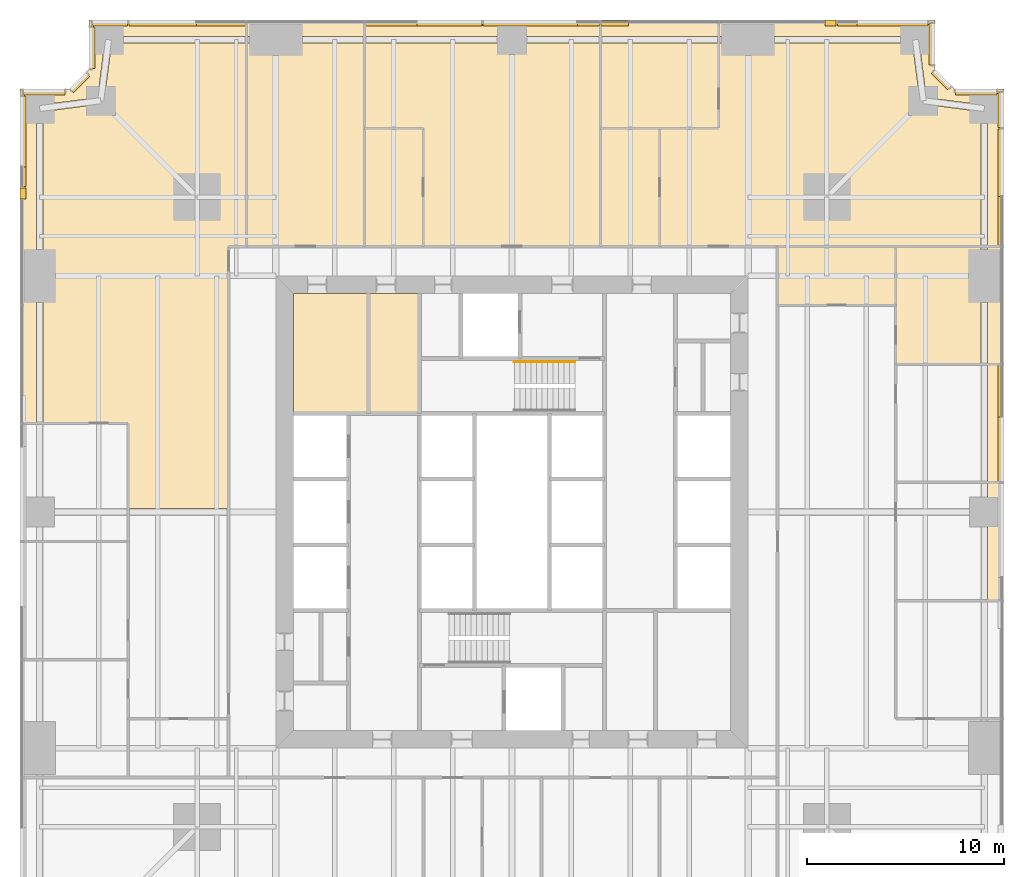
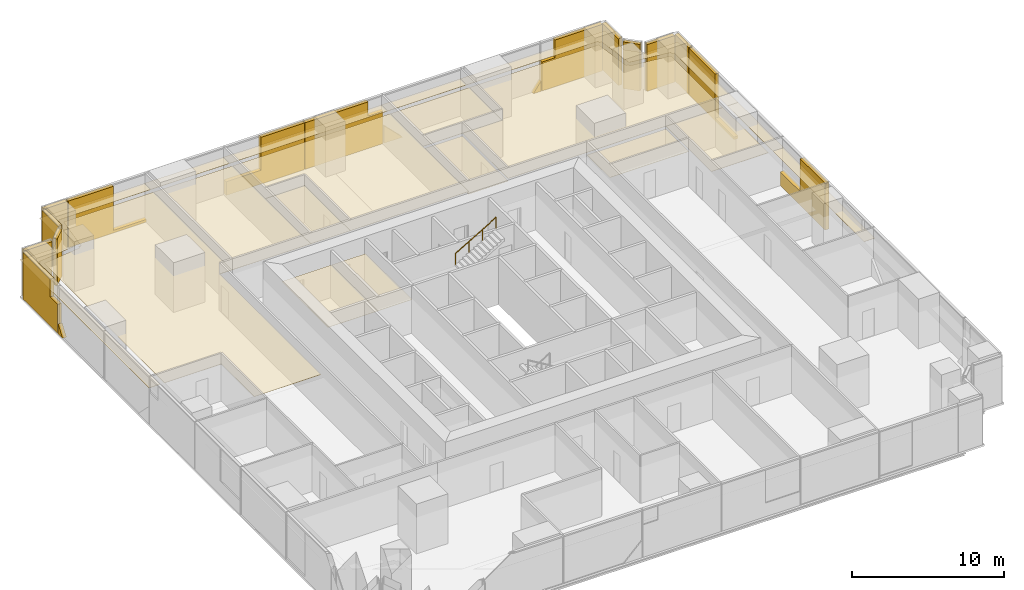
# One storey, part 13 of 13: 37 coverings, 1 railing.
"""IFC4 building model written with IfcOpenShell, lengths in metres."""

from ifc_helpers import new_model, si_unit, direction, frame, origin, origin_2d, place, context, subcontext, project, spatial, polyline, circle, outline, extrude, material, layer, layer_set, type_object, element, save


model = new_model("IFC4")

# Units and contexts
model_context = context("Model", 3, precision=1e-05, world=origin(), true_north=direction((0.0, 1.0)))
body_context = subcontext(model_context, "Body", "Model", "MODEL_VIEW")
ifc_project = project(units=[si_unit("LENGTHUNIT", "METRE"), si_unit("AREAUNIT", "SQUARE_METRE"), si_unit("VOLUMEUNIT", "CUBIC_METRE"), si_unit("PLANEANGLEUNIT", "RADIAN"), si_unit("MASSUNIT", "GRAM", prefix="KILO")], contexts=[model_context])

# Site, building, storey
site_placement = place(None, origin())
site = spatial("IfcSite", under=ifc_project, at=site_placement, CompositionType="ELEMENT")
building_placement = place(site_placement, origin())
building = spatial("IfcBuilding", under=site, at=building_placement, Name="Fenwick Lantern Interchange", CompositionType="ELEMENT")
storey_placement = place(building_placement, frame((0.0, 0.0, 39.0)))
storey = spatial("IfcBuildingStorey", under=building, at=storey_placement, Name="L08", CompositionType="ELEMENT", Elevation=39.0)

# Coverings
ifc_material_1 = material(Name="Mineral fibre acoustic tile on suspended grid")
ifc_layer_1 = layer(ifc_material_1, 0.02001953125)
ifc_layer_set_1 = layer_set([ifc_layer_1], Name="ACOUSTIC TILE CEILING 20")
covering_type_1 = type_object("IfcCoveringType", Name="ACOUSTIC TILE CEILING 20", PredefinedType="CEILING", material=ifc_layer_set_1)
covering_1_placement = place(storey_placement, frame((0.0, 0.0, 2.89990234375)))
element("IfcCovering", 1, at=covering_1_placement, inside=storey, type_object=covering_type_1, Name="Office ceiling", PredefinedType="CEILING", context=body_context, shape_type="SweptSolid", body=[
    extrude(outline(polyline([(50.0, 26.5), (49.17236328125, 26.5), (49.17236328125, 25.0), (49.17236328125, 20.5), (50.0, 20.5), (50.0, 26.5)])), origin(), (0.0, 0.0, 1.0), 0.02001953125),
])
covering_2_placement = place(storey_placement, frame((0.0, 0.0, 2.89990234375)))
element("IfcCovering", 2, at=covering_2_placement, inside=storey, type_object=covering_type_1, Name="Office ceiling", PredefinedType="CEILING", context=body_context, shape_type="SweptSolid", body=[
    extrude(outline(polyline([(50.0, 32.5), (49.17236328125, 32.5), (49.17236328125, 26.5), (50.0, 26.5), (50.0, 32.5)])), origin(), (0.0, 0.0, 1.0), 0.02001953125),
])
covering_3_placement = place(storey_placement, frame((0.0, 0.0, 2.89990234375)))
element("IfcCovering", 3, at=covering_3_placement, inside=storey, type_object=covering_type_1, Name="Office ceiling", PredefinedType="CEILING", context=body_context, shape_type="SweptSolid", body=[
    extrude(outline(polyline([(44.5, 32.5), (48.82763671875, 32.5), (48.82763671875, 37.0), (48.82763671875, 38.5), (44.5, 38.5), (44.5, 32.5)])), origin(), (0.0, 0.0, 1.0), 0.02001953125),
])
covering_4_placement = place(storey_placement, frame((0.0, 0.0, 2.89990234375)))
element("IfcCovering", 4, at=covering_4_placement, inside=storey, type_object=covering_type_1, Name="Office ceiling", PredefinedType="CEILING", context=body_context, shape_type="SweptSolid", body=[
    extrude(outline(polyline([(50.0, 38.5), (49.17236328125, 38.5), (49.17236328125, 37.0), (49.17236328125, 32.5), (50.0, 32.5), (50.0, 38.5)])), origin(), (0.0, 0.0, 1.0), 0.02001953125),
])
covering_5_placement = place(storey_placement, frame((0.0, 0.0, 2.89990234375)))
element("IfcCovering", 5, at=covering_5_placement, inside=storey, type_object=covering_type_1, Name="Office suite ceiling", PredefinedType="CEILING", context=body_context, shape_type="SweptSolid", body=[
    extrude(outline(polyline([(32.5, 38.5), (48.82763671875, 38.5), (48.82763671875, 45.348388671875), (45.8779296875, 45.72900390625), (45.89990234375, 45.89990234375), (45.72900390625, 45.8779296875), (45.348388671875, 48.82763671875), (37.0, 48.82763671875), (35.5, 48.82763671875), (35.5, 44.5), (32.5, 44.5), (32.5, 38.5)])), origin(), (0.0, 0.0, 1.0), 0.02001953125),
])
covering_6_placement = place(storey_placement, frame((0.0, 0.0, 2.89990234375)))
element("IfcCovering", 6, at=covering_6_placement, inside=storey, type_object=covering_type_1, Name="Office suite ceiling", PredefinedType="CEILING", context=body_context, shape_type="SweptSolid", body=[
    extrude(outline(polyline([(47.5, 46.5), (46.5, 47.5), (46.5, 50.0), (35.5, 50.0), (35.5, 49.17236328125), (37.0, 49.17236328125), (45.5, 49.17236328125), (45.5, 49.0), (45.6708984375, 49.02197265625), (46.053955078125, 46.053955078125), (49.02197265625, 45.6708984375), (49.0, 45.5), (49.17236328125, 45.5), (49.17236328125, 38.5), (50.0, 38.5), (50.0, 46.5), (47.5, 46.5)])), origin(), (0.0, 0.0, 1.0), 0.02001953125),
])
covering_7_placement = place(storey_placement, frame((0.0, 0.0, 2.89990234375)))
element("IfcCovering", 7, at=covering_7_placement, inside=storey, type_object=covering_type_1, Name="Meeting room ceiling", PredefinedType="CEILING", context=body_context, shape_type="SweptSolid", body=[
    extrude(outline(polyline([(35.5, 44.5), (35.5, 48.82763671875), (29.5, 48.82763671875), (29.5, 44.5), (35.5, 44.5)])), origin(), (0.0, 0.0, 1.0), 0.02001953125),
])
covering_8_placement = place(storey_placement, frame((0.0, 0.0, 2.89990234375)))
element("IfcCovering", 8, at=covering_8_placement, inside=storey, type_object=covering_type_1, Name="Meeting room ceiling", PredefinedType="CEILING", context=body_context, shape_type="SweptSolid", body=[
    extrude(outline(polyline([(29.5, 50.0), (29.5, 49.17236328125), (35.5, 49.17236328125), (35.5, 50.0), (29.5, 50.0)])), origin(), (0.0, 0.0, 1.0), 0.02001953125),
])
covering_9_placement = place(storey_placement, frame((0.0, 0.0, 2.89990234375)))
element("IfcCovering", 9, at=covering_9_placement, inside=storey, type_object=covering_type_1, Name="Office suite ceiling", PredefinedType="CEILING", context=body_context, shape_type="SweptSolid", body=[
    extrude(outline(polyline([(29.5, 38.5), (29.5, 48.82763671875), (25.0, 48.82763671875), (17.5, 48.82763671875), (17.5, 44.5), (20.5, 44.5), (20.5, 38.5), (29.5, 38.5)])), origin(), (0.0, 0.0, 1.0), 0.02001953125),
])
covering_10_placement = place(storey_placement, frame((0.0, 0.0, 2.89990234375)))
element("IfcCovering", 10, at=covering_10_placement, inside=storey, type_object=covering_type_1, Name="Office suite ceiling", PredefinedType="CEILING", context=body_context, shape_type="SweptSolid", body=[
    extrude(outline(polyline([(29.5, 49.17236328125), (29.5, 50.0), (17.5, 50.0), (17.5, 49.17236328125), (25.0, 49.17236328125), (29.5, 49.17236328125)])), origin(), (0.0, 0.0, 1.0), 0.02001953125),
])
covering_11_placement = place(storey_placement, frame((0.0, 0.0, 2.89990234375)))
element("IfcCovering", 11, at=covering_11_placement, inside=storey, type_object=covering_type_1, Name="Office ceiling", PredefinedType="CEILING", context=body_context, shape_type="SweptSolid", body=[
    extrude(outline(polyline([(20.5, 44.5), (17.5, 44.5), (17.5, 38.5), (20.5, 38.5), (20.5, 44.5)])), origin(), (0.0, 0.0, 1.0), 0.02001953125),
])
covering_12_placement = place(storey_placement, frame((0.0, 0.0, 2.89990234375)))
element("IfcCovering", 12, at=covering_12_placement, inside=storey, type_object=covering_type_1, Name="Office suite ceiling", PredefinedType="CEILING", context=body_context, shape_type="SweptSolid", body=[
    extrude(outline(polyline([(17.5, 38.5), (17.5, 48.82763671875), (13.0, 48.82763671875), (11.5, 48.82763671875), (11.5, 38.5), (17.5, 38.5)])), origin(), (0.0, 0.0, 1.0), 0.02001953125),
])
covering_13_placement = place(storey_placement, frame((0.0, 0.0, 2.89990234375)))
element("IfcCovering", 13, at=covering_13_placement, inside=storey, type_object=covering_type_1, Name="Office suite ceiling", PredefinedType="CEILING", context=body_context, shape_type="SweptSolid", body=[
    extrude(outline(polyline([(17.5, 50.0), (11.5, 50.0), (11.5, 49.17236328125), (13.0, 49.17236328125), (17.5, 49.17236328125), (17.5, 50.0)])), origin(), (0.0, 0.0, 1.0), 0.02001953125),
])
covering_14_placement = place(storey_placement, frame((0.0, 0.0, 2.89990234375)))
element("IfcCovering", 14, at=covering_14_placement, inside=storey, type_object=covering_type_1, Name="Office suite ceiling", PredefinedType="CEILING", context=body_context, shape_type="SweptSolid", body=[
    extrude(outline(polyline([(11.5, 38.5), (11.5, 48.82763671875), (4.651611328125, 48.82763671875), (4.27099609375, 45.8779296875), (4.10009765625, 45.89990234375), (4.1220703125, 45.72900390625), (1.17236328125, 45.348388671875), (1.17236328125, 37.0), (1.17236328125, 29.5), (5.5, 29.5), (5.5, 25.175048828125), (10.60009765625, 25.175048828125), (10.60009765625, 38.5), (11.5, 38.5)])), origin(), (0.0, 0.0, 1.0), 0.02001953125),
])
covering_15_placement = place(storey_placement, frame((0.0, 0.0, 2.89990234375)))
element("IfcCovering", 15, at=covering_15_placement, inside=storey, type_object=covering_type_1, Name="Office suite ceiling", PredefinedType="CEILING", context=body_context, shape_type="SweptSolid", body=[
    extrude(outline(polyline([(0.0, 46.5), (0.0, 29.5), (0.82763671875, 29.5), (0.82763671875, 37.0), (0.82763671875, 45.5), (1.0, 45.5), (0.97802734375, 45.6708984375), (3.946044921875, 46.053955078125), (4.3291015625, 49.02197265625), (4.5, 49.0), (4.5, 49.17236328125), (11.5, 49.17236328125), (11.5, 50.0), (3.5, 50.0), (3.5, 47.5), (2.5, 46.5), (0.0, 46.5)])), origin(), (0.0, 0.0, 1.0), 0.02001953125),
])
ifc_material_2 = material(Name="Granite cladding, warm grey flamed finish, on aluminium carrier frame", Category="masonry")
ifc_layer_2 = layer(ifc_material_2, 0.300048828125)
ifc_layer_set_2 = layer_set([ifc_layer_2], Name="BRACE CASING PANEL 300")
covering_type_2 = type_object("IfcCoveringType", Name="BRACE CASING PANEL 300", PredefinedType="CLADDING", material=ifc_layer_set_2)
covering_16_placement = place(storey_placement, frame((49.89990234375, 3.60009765625, 0.0), z_axis=(0.0, 0.0, 1.0), x_axis=(0.0, 1.0, 0.0)))
element("IfcCovering", 16, at=covering_16_placement, inside=storey, type_object=covering_type_2, Name="Brace casing 05 bay 04a", PredefinedType="CLADDING", context=body_context, shape_type="SweptSolid", body=[
    extrude(outline(polyline([(22.9326171875, 0.0), (28.867431640625, 0.0), (28.867431640625, 1.104248046875), (26.2294921875, 1.104248046875), (26.2294921875, 3.75), (22.9326171875, 3.75), (22.9326171875, 0.0)])), frame((0.0, 0.2001953125, 0.0), z_axis=(0.0, -1.0, 0.0), x_axis=(1.0, 0.0, 0.0)), (0.0, 0.0, 1.0), 0.300048828125),
])
covering_17_placement = place(storey_placement, frame((49.89990234375, 3.60009765625, 0.0), z_axis=(0.0, 0.0, 1.0), x_axis=(0.0, 1.0, 0.0)))
element("IfcCovering", 17, at=covering_17_placement, inside=storey, type_object=covering_type_2, Name="Brace casing 05 bay 06a", PredefinedType="CLADDING", context=body_context, shape_type="SweptSolid", body=[
    extrude(outline(polyline([(34.9326171875, 0.0), (40.867431640625, 0.0), (40.867431640625, 3.75), (37.4375, 3.75), (37.4375, 0.201416015625), (34.9326171875, 0.201416015625), (34.9326171875, 0.0)])), frame((0.0, 0.2001953125, 0.0), z_axis=(0.0, -1.0, 0.0), x_axis=(1.0, 0.0, 0.0)), (0.0, 0.0, 1.0), 0.300048828125),
])
covering_18_placement = place(storey_placement, frame((49.89990234375, 3.60009765625, 0.0), z_axis=(0.0, 0.0, 1.0), x_axis=(0.0, 1.0, 0.0)))
element("IfcCovering", 18, at=covering_18_placement, inside=storey, type_object=covering_type_2, Name="Brace casing 05 bay 07a", PredefinedType="CLADDING", context=body_context, shape_type="SweptSolid", body=[
    extrude(outline(polyline([(40.9326171875, 0.0), (42.735107421875, 0.0), (42.735107421875, 3.75), (40.9326171875, 3.75), (40.9326171875, 0.0)])), frame((0.0, 0.2001953125, 0.0), z_axis=(0.0, -1.0, 0.0), x_axis=(1.0, 0.0, 0.0)), (0.0, 0.0, 1.0), 0.300048828125),
])
covering_19_placement = place(storey_placement, frame((49.89990234375, 46.39990234375, 0.0), z_axis=(0.0, 0.0, 1.0), x_axis=(-1.0, 0.0, 0.0)))
element("IfcCovering", 19, at=covering_19_placement, inside=storey, type_object=covering_type_2, Name="Brace casing 06 bay 00a", PredefinedType="CLADDING", context=body_context, shape_type="SweptSolid", body=[
    extrude(outline(polyline([(0.264892578125, 0.0), (2.37646484375, 0.0), (2.37646484375, 3.75), (0.264892578125, 3.75), (0.264892578125, 0.0)])), frame((0.0, 0.2001953125, 0.0), z_axis=(0.0, -1.0, 0.0), x_axis=(1.0, 0.0, 0.0)), (0.0, 0.0, 1.0), 0.300048828125),
])
covering_20_placement = place(storey_placement, frame((47.45849609375, 46.39990234375, 0.0), z_axis=(0.0, 0.0, 1.0), x_axis=(-0.707106781187, 0.707106781187, 0.0)))
element("IfcCovering", 20, at=covering_20_placement, inside=storey, type_object=covering_type_2, Name="Brace casing 07 bay 00a", PredefinedType="CLADDING", context=body_context, shape_type="SweptSolid", body=[
    extrude(outline(polyline([(0.264892578125, 0.0), (1.43212890625, 0.0), (1.43212890625, 3.75), (0.264892578125, 3.75), (0.264892578125, 0.0)])), frame((0.0, 0.2001953125, 0.0), z_axis=(0.0, -1.0, 0.0), x_axis=(1.0, 0.0, 0.0)), (0.0, 0.0, 1.0), 0.300048828125),
])
covering_21_placement = place(storey_placement, frame((46.39990234375, 47.45849609375, 0.0), z_axis=(0.0, 0.0, 1.0), x_axis=(0.0, 1.0, 0.0)))
element("IfcCovering", 21, at=covering_21_placement, inside=storey, type_object=covering_type_2, Name="Brace casing 08 bay 00a", PredefinedType="CLADDING", context=body_context, shape_type="SweptSolid", body=[
    extrude(outline(polyline([(0.264892578125, 0.0), (2.37646484375, 0.0), (2.37646484375, 3.75), (0.264892578125, 3.75), (0.264892578125, 0.0)])), frame((0.0, 0.2001953125, 0.0), z_axis=(0.0, -1.0, 0.0), x_axis=(1.0, 0.0, 0.0)), (0.0, 0.0, 1.0), 0.300048828125),
])
covering_22_placement = place(storey_placement, frame((46.39990234375, 49.89990234375, 0.0), z_axis=(0.0, 0.0, 1.0), x_axis=(-1.0, 0.0, 0.0)))
element("IfcCovering", 22, at=covering_22_placement, inside=storey, type_object=covering_type_2, Name="Brace casing 09 bay 00a", PredefinedType="CLADDING", context=body_context, shape_type="SweptSolid", body=[
    extrude(outline(polyline([(0.264892578125, 0.0), (4.867431640625, 0.0), (4.867431640625, 2.32568359375), (3.860107421875, 2.32568359375), (3.860107421875, 3.75), (0.264892578125, 3.75), (0.264892578125, 0.0)])), frame((0.0, 0.2001953125, 0.0), z_axis=(0.0, -1.0, 0.0), x_axis=(1.0, 0.0, 0.0)), (0.0, 0.0, 1.0), 0.300048828125),
])
covering_23_placement = place(storey_placement, frame((46.39990234375, 49.89990234375, 0.0), z_axis=(0.0, 0.0, 1.0), x_axis=(-1.0, 0.0, 0.0)))
element("IfcCovering", 23, at=covering_23_placement, inside=storey, type_object=covering_type_2, Name="Brace casing 09 bay 01a", PredefinedType="CLADDING", context=body_context, shape_type="SweptSolid", body=[
    extrude(outline(polyline([(4.9326171875, 0.0), (5.5048828125, 0.0), (4.9326171875, 0.809326171875), (4.9326171875, 0.0)])), frame((0.0, 0.2001953125, 0.0), z_axis=(0.0, -1.0, 0.0), x_axis=(1.0, 0.0, 0.0)), (0.0, 0.0, 1.0), 0.300048828125),
])
covering_24_placement = place(storey_placement, frame((46.39990234375, 49.89990234375, 0.0), z_axis=(0.0, 0.0, 1.0), x_axis=(-1.0, 0.0, 0.0)))
element("IfcCovering", 24, at=covering_24_placement, inside=storey, type_object=covering_type_2, Name="Brace casing 09 bay 02a", PredefinedType="CLADDING", context=body_context, shape_type="SweptSolid", body=[
    extrude(outline(polyline([(15.4677734375, 0.0), (16.867431640625, 0.0), (16.867431640625, 1.40185546875), (15.4677734375, 0.0)])), frame((0.0, 0.2001953125, 0.0), z_axis=(0.0, -1.0, 0.0), x_axis=(1.0, 0.0, 0.0)), (0.0, 0.0, 1.0), 0.300048828125),
])
covering_25_placement = place(storey_placement, frame((46.39990234375, 49.89990234375, 0.0), z_axis=(0.0, 0.0, 1.0), x_axis=(-1.0, 0.0, 0.0)))
element("IfcCovering", 25, at=covering_25_placement, inside=storey, type_object=covering_type_2, Name="Brace casing 09 bay 03a", PredefinedType="CLADDING", context=body_context, shape_type="SweptSolid", body=[
    extrude(outline(polyline([(16.9326171875, 0.0), (22.867431640625, 0.0), (22.867431640625, 3.75), (18.072509765625, 3.75), (18.072509765625, 2.60888671875), (16.9326171875, 2.60888671875), (16.9326171875, 0.0)])), frame((0.0, 0.2001953125, 0.0), z_axis=(0.0, -1.0, 0.0), x_axis=(1.0, 0.0, 0.0)), (0.0, 0.0, 1.0), 0.300048828125),
])
covering_26_placement = place(storey_placement, frame((46.39990234375, 49.89990234375, 0.0), z_axis=(0.0, 0.0, 1.0), x_axis=(-1.0, 0.0, 0.0)))
element("IfcCovering", 26, at=covering_26_placement, inside=storey, type_object=covering_type_2, Name="Brace casing 09 bay 04a", PredefinedType="CLADDING", context=body_context, shape_type="SweptSolid", body=[
    extrude(outline(polyline([(22.9326171875, 0.0), (28.867431640625, 0.0), (28.867431640625, 1.104248046875), (26.2294921875, 1.104248046875), (26.2294921875, 3.75), (22.9326171875, 3.75), (22.9326171875, 0.0)])), frame((0.0, 0.2001953125, 0.0), z_axis=(0.0, -1.0, 0.0), x_axis=(1.0, 0.0, 0.0)), (0.0, 0.0, 1.0), 0.300048828125),
])
covering_27_placement = place(storey_placement, frame((46.39990234375, 49.89990234375, 0.0), z_axis=(0.0, 0.0, 1.0), x_axis=(-1.0, 0.0, 0.0)))
element("IfcCovering", 27, at=covering_27_placement, inside=storey, type_object=covering_type_2, Name="Brace casing 09 bay 06a", PredefinedType="CLADDING", context=body_context, shape_type="SweptSolid", body=[
    extrude(outline(polyline([(34.9326171875, 0.0), (40.867431640625, 0.0), (40.867431640625, 3.75), (37.4375, 3.75), (37.4375, 0.201416015625), (34.9326171875, 0.201416015625), (34.9326171875, 0.0)])), frame((0.0, 0.2001953125, 0.0), z_axis=(0.0, -1.0, 0.0), x_axis=(1.0, 0.0, 0.0)), (0.0, 0.0, 1.0), 0.300048828125),
])
covering_28_placement = place(storey_placement, frame((46.39990234375, 49.89990234375, 0.0), z_axis=(0.0, 0.0, 1.0), x_axis=(-1.0, 0.0, 0.0)))
element("IfcCovering", 28, at=covering_28_placement, inside=storey, type_object=covering_type_2, Name="Brace casing 09 bay 07a", PredefinedType="CLADDING", context=body_context, shape_type="SweptSolid", body=[
    extrude(outline(polyline([(40.9326171875, 0.0), (42.735107421875, 0.0), (42.735107421875, 3.75), (40.9326171875, 3.75), (40.9326171875, 0.0)])), frame((0.0, 0.2001953125, 0.0), z_axis=(0.0, -1.0, 0.0), x_axis=(1.0, 0.0, 0.0)), (0.0, 0.0, 1.0), 0.300048828125),
])
covering_29_placement = place(storey_placement, frame((3.60009765625, 49.89990234375, 0.0), z_axis=(0.0, 0.0, 1.0), x_axis=(0.0, -1.0, 0.0)))
element("IfcCovering", 29, at=covering_29_placement, inside=storey, type_object=covering_type_2, Name="Brace casing 10 bay 00a", PredefinedType="CLADDING", context=body_context, shape_type="SweptSolid", body=[
    extrude(outline(polyline([(0.264892578125, 0.0), (2.37646484375, 0.0), (2.37646484375, 3.75), (0.264892578125, 3.75), (0.264892578125, 0.0)])), frame((0.0, 0.2001953125, 0.0), z_axis=(0.0, -1.0, 0.0), x_axis=(1.0, 0.0, 0.0)), (0.0, 0.0, 1.0), 0.300048828125),
])
covering_30_placement = place(storey_placement, frame((3.60009765625, 47.45849609375, 0.0), z_axis=(0.0, 0.0, 1.0), x_axis=(-0.707106781187, -0.707106781187, 0.0)))
element("IfcCovering", 30, at=covering_30_placement, inside=storey, type_object=covering_type_2, Name="Brace casing 11 bay 00a", PredefinedType="CLADDING", context=body_context, shape_type="SweptSolid", body=[
    extrude(outline(polyline([(0.264892578125, 0.0), (1.43212890625, 0.0), (1.43212890625, 3.75), (0.264892578125, 3.75), (0.264892578125, 0.0)])), frame((0.0, 0.2001953125, 0.0), z_axis=(0.0, -1.0, 0.0), x_axis=(1.0, 0.0, 0.0)), (0.0, 0.0, 1.0), 0.300048828125),
])
covering_31_placement = place(storey_placement, frame((2.54150390625, 46.39990234375, 0.0), z_axis=(0.0, 0.0, 1.0), x_axis=(-1.0, 0.0, 0.0)))
element("IfcCovering", 31, at=covering_31_placement, inside=storey, type_object=covering_type_2, Name="Brace casing 12 bay 00a", PredefinedType="CLADDING", context=body_context, shape_type="SweptSolid", body=[
    extrude(outline(polyline([(0.264892578125, 0.0), (2.37646484375, 0.0), (2.37646484375, 3.75), (0.264892578125, 3.75), (0.264892578125, 0.0)])), frame((0.0, 0.2001953125, 0.0), z_axis=(0.0, -1.0, 0.0), x_axis=(1.0, 0.0, 0.0)), (0.0, 0.0, 1.0), 0.300048828125),
])
covering_32_placement = place(storey_placement, frame((0.10009765625, 46.39990234375, 0.0), z_axis=(0.0, 0.0, 1.0), x_axis=(0.0, -1.0, 0.0)))
element("IfcCovering", 32, at=covering_32_placement, inside=storey, type_object=covering_type_2, Name="Brace casing 13 bay 00a", PredefinedType="CLADDING", context=body_context, shape_type="SweptSolid", body=[
    extrude(outline(polyline([(0.264892578125, 0.0), (4.867431640625, 0.0), (4.867431640625, 2.32568359375), (3.860107421875, 2.32568359375), (3.860107421875, 3.75), (0.264892578125, 3.75), (0.264892578125, 0.0)])), frame((0.0, 0.2001953125, 0.0), z_axis=(0.0, -1.0, 0.0), x_axis=(1.0, 0.0, 0.0)), (0.0, 0.0, 1.0), 0.300048828125),
])
covering_33_placement = place(storey_placement, frame((0.10009765625, 46.39990234375, 0.0), z_axis=(0.0, 0.0, 1.0), x_axis=(0.0, -1.0, 0.0)))
element("IfcCovering", 33, at=covering_33_placement, inside=storey, type_object=covering_type_2, Name="Brace casing 13 bay 01a", PredefinedType="CLADDING", context=body_context, shape_type="SweptSolid", body=[
    extrude(outline(polyline([(4.9326171875, 0.0), (5.5048828125, 0.0), (4.9326171875, 0.809326171875), (4.9326171875, 0.0)])), frame((0.0, 0.2001953125, 0.0), z_axis=(0.0, -1.0, 0.0), x_axis=(1.0, 0.0, 0.0)), (0.0, 0.0, 1.0), 0.300048828125),
])

# Railing
ifc_material_3 = material(Name="Stainless steel handrail", Category="steel")
railing_type = type_object("IfcRailingType", Name="HANDRAIL 900", PredefinedType="HANDRAIL", material=ifc_material_3)
railing_placement = place(storey_placement, frame((25.1201171875, 32.6259765625, 2.166748046875)))
element("IfcRailing", 34, at=railing_placement, inside=storey, type_object=railing_type, Name="L08/STAIR/ST2/HR2", PredefinedType="HANDRAIL", context=body_context, shape_type="SweptSolid", body=[
    extrude(circle(Radius=0.02392578125, at=origin_2d()), frame((0.0, 0.0, 0.8759765625), z_axis=(0.859290745958, 0.0, 0.51148745235), x_axis=(0.0, 1.0, 0.0)), (0.0, 0.0, 1.0), 3.584228515625),
    extrude(circle(Radius=0.02099609375, at=origin_2d()), origin(), (0.0, 0.0, 1.0), 0.851806640625),
    extrude(circle(Radius=0.02099609375, at=origin_2d()), frame((1.026611328125, 0.0, 0.611083984375)), (0.0, 0.0, 1.0), 0.851806640625),
    extrude(circle(Radius=0.02099609375, at=origin_2d()), frame((2.05322265625, 0.0, 1.22216796875)), (0.0, 0.0, 1.0), 0.851806640625),
    extrude(circle(Radius=0.02099609375, at=origin_2d()), frame((3.079833984375, 0.0, 1.833251953125)), (0.0, 0.0, 1.0), 0.851806640625),
])

# Coverings
ifc_material_4 = material(Name="Moisture resistant gypsum board on suspended frame, painted")
ifc_layer_3 = layer(ifc_material_4, 0.014892578125)
ifc_layer_set_3 = layer_set([ifc_layer_3], Name="MOISTURE RESISTANT CEILING 15")
covering_type_3 = type_object("IfcCoveringType", Name="MOISTURE RESISTANT CEILING 15", PredefinedType="CEILING", material=ifc_layer_set_3)
covering_34_placement = place(storey_placement, frame((0.0, 0.0, 2.60009765625)))
element("IfcCovering", 35, at=covering_34_placement, inside=storey, type_object=covering_type_3, Name="Men's WC ceiling", PredefinedType="CEILING", context=body_context, shape_type="SweptSolid", body=[
    extrude(outline(polyline([(20.300048828125, 36.10009765625), (17.699951171875, 36.10009765625), (17.699951171875, 30.0), (20.300048828125, 30.0), (20.300048828125, 36.10009765625)])), origin(), (0.0, 0.0, 1.0), 0.014892578125),
])
covering_35_placement = place(storey_placement, frame((0.0, 0.0, 2.60009765625)))
element("IfcCovering", 36, at=covering_35_placement, inside=storey, type_object=covering_type_3, Name="Women's WC ceiling", PredefinedType="CEILING", context=body_context, shape_type="SweptSolid", body=[
    extrude(outline(polyline([(17.699951171875, 36.10009765625), (13.89990234375, 36.10009765625), (13.89990234375, 30.0), (17.699951171875, 30.0), (17.699951171875, 36.10009765625)])), origin(), (0.0, 0.0, 1.0), 0.014892578125),
])
covering_36_placement = place(storey_placement, frame((0.0, 0.0, 2.699951171875)))
element("IfcCovering", 37, at=covering_36_placement, inside=storey, type_object=covering_type_3, Name="Pantry ceiling", PredefinedType="CEILING", context=body_context, shape_type="SweptSolid", body=[
    extrude(outline(polyline([(44.5, 35.5), (44.5, 38.5), (38.5, 38.5), (38.5, 35.5), (44.5, 35.5)])), origin(), (0.0, 0.0, 1.0), 0.01513671875),
])
covering_37_placement = place(storey_placement, frame((0.0, 0.0, 2.699951171875)))
element("IfcCovering", 38, at=covering_37_placement, inside=storey, type_object=covering_type_3, Name="Pantry ceiling", PredefinedType="CEILING", context=body_context, shape_type="SweptSolid", body=[
    extrude(outline(polyline([(32.5, 44.5), (29.5, 44.5), (29.5, 38.5), (32.5, 38.5), (32.5, 44.5)])), origin(), (0.0, 0.0, 1.0), 0.01513671875),
])

save(model, "model.ifc")
